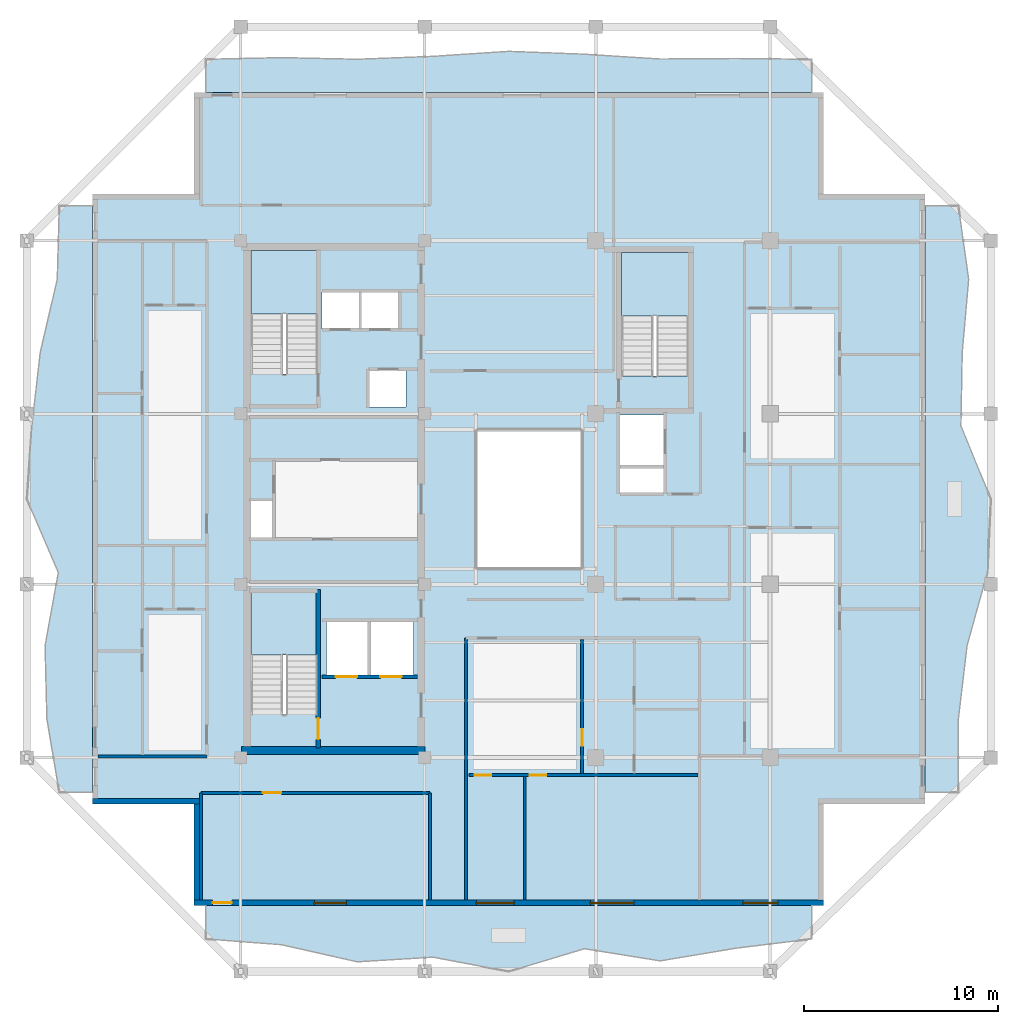
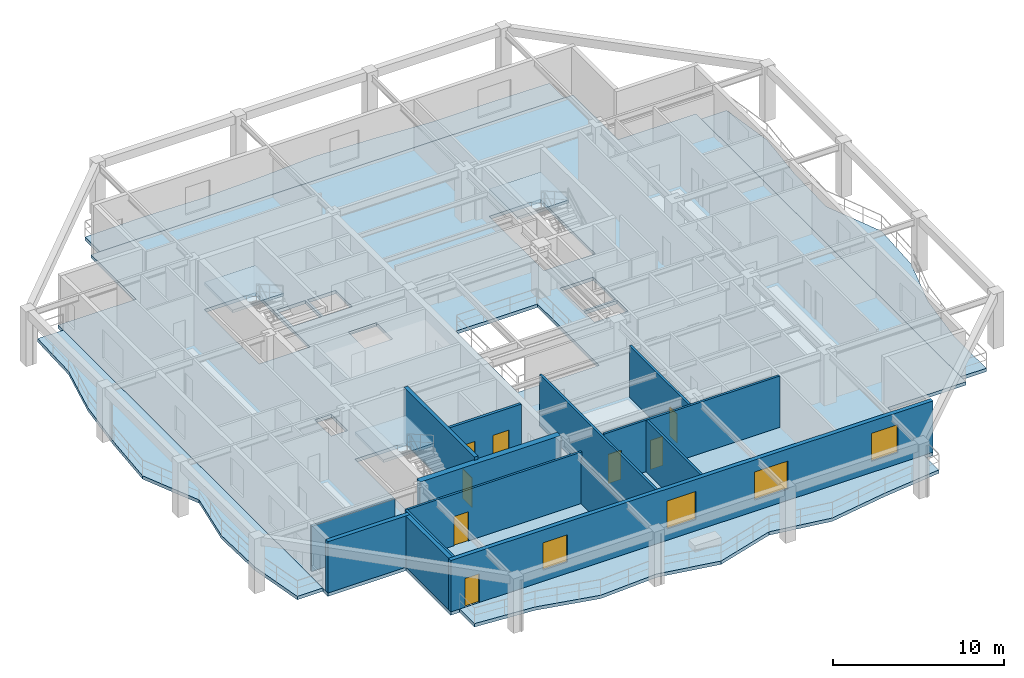
# One storey, part 2 of 12: 14 walls, 8 doors, 8 slabs, 4 windows, 12 openings, 3 elements without a shape of their own.
"""IFC4 building model written with IfcOpenShell, lengths in metres."""

from ifc_helpers import new_model, si_unit, direction, frame, frame_2d, origin, place, context, subcontext, project, spatial, polyline, rectangle, outline, extrude, material, layer, layer_set, type_object, element, fill, aggregate, save


model = new_model("IFC4")

# Units and contexts
model_context = context("Model", 3, precision=1e-05, world=origin(), true_north=direction((0.0, 1.0)))
body_context = subcontext(model_context, "Body", "Model", "MODEL_VIEW")
ifc_project = project(units=[si_unit("LENGTHUNIT", "METRE"), si_unit("AREAUNIT", "SQUARE_METRE"), si_unit("VOLUMEUNIT", "CUBIC_METRE"), si_unit("PLANEANGLEUNIT", "RADIAN"), si_unit("MASSUNIT", "GRAM", prefix="KILO")], contexts=[model_context])

# Site, building, storey
site_placement = place(None, origin())
site = spatial("IfcSite", under=ifc_project, at=site_placement, CompositionType="ELEMENT")
building_placement = place(site_placement, origin())
building = spatial("IfcBuilding", under=site, at=building_placement, Name="Kundavana Baori Tower", CompositionType="ELEMENT")
storey_placement = place(building_placement, frame((0.0, 0.0, 245.300048828125)))
storey = spatial("IfcBuildingStorey", under=building, at=storey_placement, Name="L60", CompositionType="ELEMENT", Elevation=245.300048828125)

# Slab
ifc_material_1 = material(Name="Concrete C40/50", Category="concrete")
ifc_layer_1 = layer(ifc_material_1, 0.239990234375, Name="SLB-FLR-240")
ifc_layer_set_1 = layer_set([ifc_layer_1], Name="Concrete C40/50")
slab_type_1 = type_object("IfcSlabType", Name="SLB-FLR-240", PredefinedType="FLOOR", material=ifc_layer_set_1)
slab_1_placement = place(storey_placement, frame((0.0, 0.0, -0.239990234375)))
element("IfcSlab", 1, at=slab_1_placement, inside=storey, type_object=slab_type_1, Name="L60 Structural Floor Slab", PredefinedType="FLOOR", context=body_context, shape_type="SweptSolid", body=[
    extrude(outline(polyline([(13.050048828125, 7.60009765625), (45.550048828125, 7.60009765625), (45.550048828125, 12.85009765625), (50.800048828125, 12.85009765625), (50.800048828125, 44.35009765625), (45.550048828125, 44.35009765625), (45.550048828125, 49.60009765625), (13.050048828125, 49.60009765625), (13.050048828125, 44.35009765625), (7.800048828125, 44.35009765625), (7.800048828125, 12.85009765625), (13.050048828125, 12.85009765625), (13.050048828125, 7.60009765625)]), holes=[polyline([(19.43994140625, 17.4619140625), (19.43994140625, 23.85009765625), (15.97998046875, 23.85009765625), (15.97998046875, 17.4619140625), (19.43994140625, 17.4619140625)]), polyline([(19.43994140625, 35.06201171875), (19.43994140625, 41.449951171875), (15.97998046875, 41.449951171875), (15.97998046875, 35.06201171875), (19.43994140625, 35.06201171875)]), polyline([(38.580078125, 34.9619140625), (38.580078125, 41.35009765625), (35.1201171875, 41.35009765625), (35.1201171875, 34.9619140625), (38.580078125, 34.9619140625)]), polyline([(19.64990234375, 37.39990234375), (21.550048828125, 37.39990234375), (21.550048828125, 39.300048828125), (19.64990234375, 39.300048828125), (19.64990234375, 37.39990234375)]), polyline([(21.699951171875, 37.39990234375), (23.60009765625, 37.39990234375), (23.60009765625, 39.300048828125), (21.699951171875, 39.300048828125), (21.699951171875, 37.39990234375)]), polyline([(22.10009765625, 33.35009765625), (24.0, 33.35009765625), (24.0, 35.25), (22.10009765625, 35.25), (22.10009765625, 33.35009765625)]), polyline([(19.8798828125, 19.5), (22.02001953125, 19.5), (22.02001953125, 22.25), (19.8798828125, 22.25), (19.8798828125, 19.5)]), polyline([(22.179931640625, 19.5), (24.3798828125, 19.5), (24.3798828125, 22.25), (22.179931640625, 22.25), (22.179931640625, 19.5)]), polyline([(35.050048828125, 30.35009765625), (37.300048828125, 30.35009765625), (37.300048828125, 32.949951171875), (35.050048828125, 32.949951171875), (35.050048828125, 30.35009765625)]), polyline([(15.949951171875, 26.60009765625), (17.080078125, 26.60009765625), (17.080078125, 28.5), (15.949951171875, 28.5), (15.949951171875, 26.60009765625)]), polyline([(35.050048828125, 28.949951171875), (37.300048828125, 28.949951171875), (37.300048828125, 30.199951171875), (35.050048828125, 30.199951171875), (35.050048828125, 28.949951171875)]), polyline([(27.60009765625, 25.0), (33.10009765625, 25.0), (33.10009765625, 32.199951171875), (27.60009765625, 32.199951171875), (27.60009765625, 25.0)])]), origin(), (0.0, 0.0, 1.0), 0.239990234375),
])

# Stair, slab
ifc_material_2 = material(Name="Concrete C40/50", Category="concrete")
stair_type = type_object("IfcStairType", Name="STR-DOG-1650", PredefinedType="HALF_TURN_STAIR", material=ifc_material_2)
stair_1_placement = place(storey_placement, origin())
stair_1 = element("IfcStair", 2, at=stair_1_placement, inside=storey, type_object=stair_type, Name="L60 Protected Exit Stair ST1", PredefinedType="HALF_TURN_STAIR")
ifc_material_3 = material(Name="Concrete C40/50", Category="concrete")
ifc_layer_2 = layer(ifc_material_3, 0.199951171875, Name="SLB-LND-200")
ifc_layer_set_2 = layer_set([ifc_layer_2], Name="Concrete C40/50")
slab_type_2 = type_object("IfcSlabType", Name="SLB-LND-200", PredefinedType="LANDING", material=ifc_layer_set_2)
slab_2_placement = place(storey_placement, frame((0.0, 0.0, 1.75)))
slab_2 = element("IfcSlab", 3, at=slab_2_placement, type_object=slab_type_2, Name="ST1 landing 1", PredefinedType="LANDING", context=body_context, shape_type="SweptSolid", body=[
    extrude(outline(polyline([(19.43994140625, 20.550048828125), (19.43994140625, 23.85009765625), (15.97998046875, 23.85009765625), (15.97998046875, 20.550048828125), (19.43994140625, 20.550048828125)])), origin(), (0.0, 0.0, 1.0), 0.199951171875),
])
aggregate(stair_1, [slab_2])

stair_2_placement = place(storey_placement, origin())
stair_2 = element("IfcStair", 4, at=stair_2_placement, inside=storey, type_object=stair_type, Name="L60 Protected Exit Stair ST2", PredefinedType="HALF_TURN_STAIR")
slab_3_placement = place(storey_placement, frame((0.0, 0.0, 1.75)))
slab_3 = element("IfcSlab", 5, at=slab_3_placement, type_object=slab_type_2, Name="ST2 landing 1", PredefinedType="LANDING", context=body_context, shape_type="SweptSolid", body=[
    extrude(outline(polyline([(19.43994140625, 38.14990234375), (19.43994140625, 41.449951171875), (15.97998046875, 41.449951171875), (15.97998046875, 38.14990234375), (19.43994140625, 38.14990234375)])), origin(), (0.0, 0.0, 1.0), 0.199951171875),
])
aggregate(stair_2, [slab_3])

stair_3_placement = place(storey_placement, origin())
stair_3 = element("IfcStair", 6, at=stair_3_placement, inside=storey, type_object=stair_type, Name="L60 Protected Exit Stair ST3", PredefinedType="HALF_TURN_STAIR")
slab_4_placement = place(storey_placement, frame((0.0, 0.0, 1.75)))
slab_4 = element("IfcSlab", 7, at=slab_4_placement, type_object=slab_type_2, Name="ST3 landing 1", PredefinedType="LANDING", context=body_context, shape_type="SweptSolid", body=[
    extrude(outline(polyline([(38.580078125, 38.050048828125), (38.580078125, 41.35009765625), (35.1201171875, 41.35009765625), (35.1201171875, 38.050048828125), (38.580078125, 38.050048828125)])), origin(), (0.0, 0.0, 1.0), 0.199951171875),
])
aggregate(stair_3, [slab_4])

# Slabs
ifc_material_4 = material(Name="Concrete C40/50", Category="concrete")
ifc_layer_3 = layer(ifc_material_4, 0.239990234375, Name="SLB-LOG-240")
ifc_layer_set_3 = layer_set([ifc_layer_3], Name="Concrete C40/50")
slab_type_3 = type_object("IfcSlabType", Name="SLB-LOG-240", PredefinedType="FLOOR", material=ifc_layer_set_3)
slab_5_placement = place(storey_placement, frame((0.0, 0.0, -0.239990234375)))
element("IfcSlab", 8, at=slab_5_placement, inside=storey, type_object=slab_type_3, Name="L60 Planted Loggia Balcony Slab S", PredefinedType="FLOOR", context=body_context, shape_type="SweptSolid", body=[
    extrude(outline(polyline([(13.64990234375, 7.60009765625), (44.949951171875, 7.60009765625), (44.949951171875, 5.8798828125), (41.0380859375, 5.404052734375), (37.125, 4.74609375), (33.212890625, 5.376953125), (29.300048828125, 4.199951171875), (25.387939453125, 4.93798828125), (21.47509765625, 4.697998046875), (17.56201171875, 5.58203125), (13.64990234375, 5.8798828125), (13.64990234375, 7.60009765625)])), origin(), (0.0, 0.0, 1.0), 0.239990234375),
])
slab_6_placement = place(storey_placement, frame((0.0, 0.0, -0.239990234375)))
element("IfcSlab", 9, at=slab_6_placement, inside=storey, type_object=slab_type_3, Name="L60 Planted Loggia Balcony Slab E", PredefinedType="FLOOR", context=body_context, shape_type="SweptSolid", body=[
    extrude(outline(polyline([(50.800048828125, 13.449951171875), (50.800048828125, 43.75), (52.52001953125, 43.75), (53.055908203125, 39.9619140625), (52.722900390625, 36.175048828125), (52.655029296875, 32.387939453125), (54.199951171875, 28.60009765625), (54.02294921875, 24.81201171875), (52.972900390625, 21.02490234375), (52.52197265625, 17.238037109375), (52.52001953125, 13.449951171875), (50.800048828125, 13.449951171875)])), origin(), (0.0, 0.0, 1.0), 0.239990234375),
])
slab_7_placement = place(storey_placement, frame((0.0, 0.0, -0.239990234375)))
element("IfcSlab", 10, at=slab_7_placement, inside=storey, type_object=slab_type_3, Name="L60 Planted Loggia Balcony Slab N", PredefinedType="FLOOR", context=body_context, shape_type="SweptSolid", body=[
    extrude(outline(polyline([(44.949951171875, 49.60009765625), (13.64990234375, 49.60009765625), (13.64990234375, 51.320068359375), (17.56201171875, 51.406005859375), (21.47509765625, 51.322021484375), (25.387939453125, 51.472900390625), (29.300048828125, 51.73095703125), (33.212890625, 51.58203125), (37.125, 51.333984375), (41.0380859375, 51.362060546875), (44.949951171875, 51.320068359375), (44.949951171875, 49.60009765625)])), origin(), (0.0, 0.0, 1.0), 0.239990234375),
])
slab_8_placement = place(storey_placement, frame((0.0, 0.0, -0.239990234375)))
element("IfcSlab", 11, at=slab_8_placement, inside=storey, type_object=slab_type_3, Name="L60 Planted Loggia Balcony Slab W", PredefinedType="FLOOR", context=body_context, shape_type="SweptSolid", body=[
    extrude(outline(polyline([(7.800048828125, 43.75), (7.800048828125, 13.449951171875), (6.080078125, 13.449951171875), (5.43896484375, 17.238037109375), (5.344970703125, 21.02490234375), (6.030029296875, 24.81201171875), (4.39990234375, 28.60009765625), (4.6630859375, 32.387939453125), (5.094970703125, 36.175048828125), (5.97412109375, 39.9619140625), (6.080078125, 43.75), (7.800048828125, 43.75)])), origin(), (0.0, 0.0, 1.0), 0.239990234375),
])

# Wall
ifc_material_5 = material(Name="Concrete C50/60", Category="concrete")
ifc_layer_4 = layer(ifc_material_5, 0.39990234375, Name="WL-CORE-400")
ifc_layer_set_4 = layer_set([ifc_layer_4], Name="Concrete C50/60")
wall_type_1 = type_object("IfcWallType", Name="WL-CORE-400", PredefinedType="SHEAR", material=ifc_layer_set_4)
wall_1_placement = place(storey_placement, frame((15.5, 15.610107421875, 0.0), z_axis=(0.0, 0.0, 1.0), x_axis=(1.0, 0.0, 0.0)))
element("IfcWall", 12, at=wall_1_placement, inside=storey, type_object=wall_type_1, Name="L60 Offset Core South Shear Wall", PredefinedType="SHEAR", context=body_context, shape_type="SweptSolid", body=[
    extrude(rectangle(XDim=9.47998046875, YDim=0.39990234375, at=frame_2d((4.739990234375, 0.0))), origin(), (0.0, 0.0, 1.0), 3.659912109375),
])

# Wall, opening, door
wall_2_placement = place(storey_placement, frame((19.4599609375, 15.739990234375, 0.0), z_axis=(0.0, 0.0, 1.0), x_axis=(0.0, 1.0, 0.0)))
wall_2 = element("IfcWall", 13, at=wall_2_placement, inside=storey, type_object=wall_type_1, Name="WL-L60-ST1-E", PredefinedType="SHEAR", context=body_context, shape_type="SweptSolid", body=[
    extrude(rectangle(XDim=8.199951171875, YDim=0.239990234375, at=frame_2d((4.10009765625, 0.0))), origin(), (0.0, 0.0, 1.0), 3.89990234375),
])
opening_1_placement = place(wall_2_placement, frame((0.449951171875, 0.0, 0.0)))
opening_1 = element("IfcOpeningElement", 14, at=opening_1_placement, cuts=wall_2, Name="Opening FD-110", PredefinedType="OPENING", context=body_context, shape_type="SweptSolid", body=[
    extrude(rectangle(XDim=1.10009765625, YDim=2.10009765625, at=frame_2d((0.550048828125, 1.050048828125))), frame((0.0, 0.1298828125, 0.0), z_axis=(0.0, -1.0, 0.0), x_axis=(1.0, 0.0, 0.0)), (0.0, 0.0, 1.0), 0.260009765625),
])
ifc_material_6 = material(Name="Galvanised Steel Fire-Rated Door Leaf", Category="steel")
door_type_1 = type_object("IfcDoorType", Name="DR-FD120-1100", OperationType="NOTDEFINED", PredefinedType="DOOR", material=ifc_material_6)
door_1_placement = place(opening_1_placement, origin())
door_1 = element("IfcDoor", 15, at=door_1_placement, inside=storey, type_object=door_type_1, Name="DR-L60-ST1", OperationType="SINGLE_SWING_LEFT", OverallHeight=2.10009765625, OverallWidth=1.10009765625, PredefinedType="DOOR", context=body_context, shape_type="SweptSolid", body=[
    extrude(rectangle(XDim=1.10009765625, YDim=2.10009765625, at=frame_2d((0.550048828125, 1.050048828125))), frame((0.0, 0.02490234375, 0.0), z_axis=(0.0, -1.0, 0.0), x_axis=(1.0, 0.0, 0.0)), (0.0, 0.0, 1.0), 0.050048828125),
])
fill(opening_1, door_1)

# Wall, openings, door, windows
ifc_material_7 = material(Name="Red-Buff Dholpur Sandstone Cladding on Concrete C40/50", Category="masonry")
ifc_layer_5 = layer(ifc_material_7, 0.280029296875, Name="WL-EXT-SAND-280")
ifc_layer_set_5 = layer_set([ifc_layer_5], Name="Red-Buff Dholpur Sandstone Cladding on Concrete C40/50")
wall_type_2 = type_object("IfcWallType", Name="WL-EXT-SAND-280", PredefinedType="STANDARD", material=ifc_layer_set_5)
wall_3_placement = place(storey_placement, frame((13.050048828125, 7.739990234375, 0.0), z_axis=(0.0, 0.0, 1.0), x_axis=(1.0, 0.0, 0.0)))
wall_3 = element("IfcWall", 16, at=wall_3_placement, inside=storey, type_object=wall_type_2, Name="L60 Exterior Insulated Facade Wall 01", PredefinedType="STANDARD", context=body_context, shape_type="SweptSolid", body=[
    extrude(rectangle(XDim=32.5, YDim=0.280029296875, at=frame_2d((16.25, 0.0))), origin(), (0.0, 0.0, 1.0), 3.659912109375),
])
opening_2_placement = place(wall_3_placement, frame((0.949951171875, 0.0, 0.0)))
opening_2 = element("IfcOpeningElement", 17, at=opening_2_placement, cuts=wall_3, Name="Opening BD-1", PredefinedType="OPENING", context=body_context, shape_type="SweptSolid", body=[
    extrude(rectangle(XDim=1.0, YDim=2.050048828125, at=frame_2d((0.5, 1.02490234375))), frame((0.0, 0.14990234375, 0.0), z_axis=(0.0, -1.0, 0.0), x_axis=(1.0, 0.0, 0.0)), (0.0, 0.0, 1.0), 0.300048828125),
])
opening_3_placement = place(wall_3_placement, frame((6.2099609375, 0.0, 0.800048828125)))
opening_3 = element("IfcOpeningElement", 18, at=opening_3_placement, cuts=wall_3, Name="Opening W-08", PredefinedType="OPENING", context=body_context, shape_type="SweptSolid", body=[
    extrude(rectangle(XDim=1.64990234375, YDim=1.949951171875, at=frame_2d((0.824951171875, 0.97509765625))), frame((0.0, 0.14990234375, 0.0), z_axis=(0.0, -1.0, 0.0), x_axis=(1.0, 0.0, 0.0)), (0.0, 0.0, 1.0), 0.300048828125),
])
opening_4_placement = place(wall_3_placement, frame((14.576904296875, 0.0, 0.800048828125)))
opening_4 = element("IfcOpeningElement", 19, at=opening_4_placement, cuts=wall_3, Name="Opening W-09", PredefinedType="OPENING", context=body_context, shape_type="SweptSolid", body=[
    extrude(rectangle(XDim=1.949951171875, YDim=2.0, at=frame_2d((0.97509765625, 1.0))), frame((0.0, 0.14990234375, 0.0), z_axis=(0.0, -1.0, 0.0), x_axis=(1.0, 0.0, 0.0)), (0.0, 0.0, 1.0), 0.300048828125),
])
opening_5_placement = place(wall_3_placement, frame((20.462890625, 0.0, 0.800048828125)))
opening_5 = element("IfcOpeningElement", 20, at=opening_5_placement, cuts=wall_3, Name="Opening W-10", PredefinedType="OPENING", context=body_context, shape_type="SweptSolid", body=[
    extrude(rectangle(XDim=2.25, YDim=2.0, at=frame_2d((1.125, 1.0))), frame((0.0, 0.14990234375, 0.0), z_axis=(0.0, -1.0, 0.0), x_axis=(1.0, 0.0, 0.0)), (0.0, 0.0, 1.0), 0.300048828125),
])
opening_6_placement = place(wall_3_placement, frame((28.344970703125, 0.0, 0.800048828125)))
opening_6 = element("IfcOpeningElement", 21, at=opening_6_placement, cuts=wall_3, Name="Opening W-01", PredefinedType="OPENING", context=body_context, shape_type="SweptSolid", body=[
    extrude(rectangle(XDim=1.800048828125, YDim=2.0, at=frame_2d((0.89990234375, 1.0))), frame((0.0, 0.14990234375, 0.0), z_axis=(0.0, -1.0, 0.0), x_axis=(1.0, 0.0, 0.0)), (0.0, 0.0, 1.0), 0.300048828125),
])
ifc_material_8 = material(Name="Architectural Patinated Bronze Metalwork")
door_type_2 = type_object("IfcDoorType", Name="DR-EXT-LOG-1000", OperationType="NOTDEFINED", PredefinedType="DOOR", material=ifc_material_8)
door_2_placement = place(opening_2_placement, frame((1.0, 0.0, 0.0), z_axis=(0.0, 0.0, 1.0), x_axis=(-1.0, 0.0, 0.0)))
door_2 = element("IfcDoor", 22, at=door_2_placement, inside=storey, type_object=door_type_2, Name="L60 Loggia Balcony Access Door S", OperationType="SINGLE_SWING_LEFT", OverallHeight=2.050048828125, OverallWidth=1.0, PredefinedType="DOOR", context=body_context, shape_type="SweptSolid", body=[
    extrude(rectangle(XDim=1.0, YDim=2.050048828125, at=frame_2d((0.5, 1.02490234375))), frame((0.0, 0.02490234375, 0.0), z_axis=(0.0, -1.0, 0.0), x_axis=(1.0, 0.0, 0.0)), (0.0, 0.0, 1.0), 0.050048828125),
])
fill(opening_2, door_2)
ifc_material_9 = material(Name="Double-Glazed Solar-Control Low-E Insulated Glass", Category="glass")
window_type_1 = type_object("IfcWindowType", Name="WIN-LOG-1650x1950", PartitioningType="SINGLE_PANEL", PredefinedType="WINDOW", material=ifc_material_9)
window_1_placement = place(opening_3_placement, origin())
window_1 = element("IfcWindow", 23, at=window_1_placement, inside=storey, type_object=window_type_1, Name="L60 Recessed Loggia Window S-1", OverallHeight=1.949951171875, OverallWidth=1.64990234375, PartitioningType="SINGLE_PANEL", PredefinedType="WINDOW", context=body_context, shape_type="SweptSolid", body=[
    extrude(rectangle(XDim=1.64990234375, YDim=1.949951171875, at=frame_2d((0.824951171875, 0.97509765625))), frame((0.0, 0.030029296875, 0.0), z_axis=(0.0, -1.0, 0.0), x_axis=(1.0, 0.0, 0.0)), (0.0, 0.0, 1.0), 0.06005859375),
])
fill(opening_3, window_1)
ifc_material_10 = material(Name="Double-Glazed Solar-Control Low-E Insulated Glass", Category="glass")
window_type_2 = type_object("IfcWindowType", Name="WIN-LOG-1800x2000", PartitioningType="SINGLE_PANEL", PredefinedType="WINDOW", material=ifc_material_10)
window_2_placement = place(opening_6_placement, origin())
window_2 = element("IfcWindow", 24, at=window_2_placement, inside=storey, type_object=window_type_2, Name="L60 Recessed Loggia Window S-4", OverallHeight=2.0, OverallWidth=1.800048828125, PartitioningType="SINGLE_PANEL", PredefinedType="WINDOW", context=body_context, shape_type="SweptSolid", body=[
    extrude(rectangle(XDim=1.800048828125, YDim=2.0, at=frame_2d((0.89990234375, 1.0))), frame((0.0, 0.030029296875, 0.0), z_axis=(0.0, -1.0, 0.0), x_axis=(1.0, 0.0, 0.0)), (0.0, 0.0, 1.0), 0.06005859375),
])
fill(opening_6, window_2)
ifc_material_11 = material(Name="Double-Glazed Solar-Control Low-E Insulated Glass", Category="glass")
window_type_3 = type_object("IfcWindowType", Name="WIN-LOG-1950x2000", PartitioningType="SINGLE_PANEL", PredefinedType="WINDOW", material=ifc_material_11)
window_3_placement = place(opening_4_placement, origin())
window_3 = element("IfcWindow", 25, at=window_3_placement, inside=storey, type_object=window_type_3, Name="L60 Recessed Loggia Window S-2", OverallHeight=2.0, OverallWidth=1.949951171875, PartitioningType="SINGLE_PANEL", PredefinedType="WINDOW", context=body_context, shape_type="SweptSolid", body=[
    extrude(rectangle(XDim=1.949951171875, YDim=2.0, at=frame_2d((0.97509765625, 1.0))), frame((0.0, 0.030029296875, 0.0), z_axis=(0.0, -1.0, 0.0), x_axis=(1.0, 0.0, 0.0)), (0.0, 0.0, 1.0), 0.06005859375),
])
fill(opening_4, window_3)
ifc_material_12 = material(Name="Double-Glazed Solar-Control Low-E Insulated Glass", Category="glass")
window_type_4 = type_object("IfcWindowType", Name="WIN-LOG-2250x2000", PartitioningType="SINGLE_PANEL", PredefinedType="WINDOW", material=ifc_material_12)
window_4_placement = place(opening_5_placement, origin())
window_4 = element("IfcWindow", 26, at=window_4_placement, inside=storey, type_object=window_type_4, Name="L60 Recessed Loggia Window S-3", OverallHeight=2.0, OverallWidth=2.25, PartitioningType="SINGLE_PANEL", PredefinedType="WINDOW", context=body_context, shape_type="SweptSolid", body=[
    extrude(rectangle(XDim=2.25, YDim=2.0, at=frame_2d((1.125, 1.0))), frame((0.0, 0.030029296875, 0.0), z_axis=(0.0, -1.0, 0.0), x_axis=(1.0, 0.0, 0.0)), (0.0, 0.0, 1.0), 0.06005859375),
])
fill(opening_5, window_4)

# Walls
wall_4_placement = place(storey_placement, frame((7.800048828125, 12.989990234375, 0.0), z_axis=(0.0, 0.0, 1.0), x_axis=(1.0, 0.0, 0.0)))
element("IfcWall", 27, at=wall_4_placement, inside=storey, type_object=wall_type_2, Name="L60 Exterior Insulated Facade Wall 11", PredefinedType="STANDARD", context=body_context, shape_type="SweptSolid", body=[
    extrude(rectangle(XDim=5.530029296875, YDim=0.280029296875, at=frame_2d((2.76513671875, 0.0))), origin(), (0.0, 0.0, 1.0), 3.659912109375),
])
wall_5_placement = place(storey_placement, frame((13.18994140625, 12.85009765625, 0.0), z_axis=(0.0, 0.0, 1.0), x_axis=(0.0, -1.0, 0.0)))
element("IfcWall", 28, at=wall_5_placement, inside=storey, type_object=wall_type_2, Name="L60 Exterior Insulated Facade Wall 12", PredefinedType="STANDARD", context=body_context, shape_type="SweptSolid", body=[
    extrude(rectangle(XDim=4.97021484375, YDim=0.280029296875, at=frame_2d((2.485107421875, 0.0))), origin(), (0.0, 0.0, 1.0), 3.659912109375),
])
ifc_material_13 = material(Name="Fire-Rated Gypsum Drywall on Galvanised Steel Studs", Category="steel")
ifc_layer_6 = layer(ifc_material_13, 0.14990234375, Name="WL-PART-150")
ifc_layer_set_6 = layer_set([ifc_layer_6], Name="Fire-Rated Gypsum Drywall on Galvanised Steel Studs")
wall_type_3 = type_object("IfcWallType", Name="WL-PART-150", PredefinedType="PARTITIONING", material=ifc_layer_set_6)
wall_6_placement = place(storey_placement, frame((27.080078125, 7.8798828125, 0.0), z_axis=(0.0, 0.0, 1.0), x_axis=(0.0, 1.0, 0.0)))
element("IfcWall", 29, at=wall_6_placement, inside=storey, type_object=wall_type_3, Name="WL-L60-RSW", PredefinedType="PARTITIONING", context=body_context, shape_type="SweptSolid", body=[
    extrude(rectangle(XDim=13.5400390625, YDim=0.14990234375, at=frame_2d((6.77001953125, 0.0))), origin(), (0.0, 0.0, 1.0), 3.659912109375),
])

# Wall, opening, door
wall_7_placement = place(storey_placement, frame((13.39990234375, 13.419921875, 0.0), z_axis=(0.0, 0.0, 1.0), x_axis=(1.0, 0.0, 0.0)))
wall_7 = element("IfcWall", 30, at=wall_7_placement, inside=storey, type_object=wall_type_3, Name="WL-L60-RSC", PredefinedType="PARTITIONING", context=body_context, shape_type="SweptSolid", body=[
    extrude(rectangle(XDim=11.820068359375, YDim=0.14990234375, at=frame_2d((5.91015625, 0.0))), origin(), (0.0, 0.0, 1.0), 3.659912109375),
])
opening_7_placement = place(wall_7_placement, frame((3.199951171875, 0.0, 0.0)))
opening_7 = element("IfcOpeningElement", 31, at=opening_7_placement, cuts=wall_7, Name="Opening ID-095", PredefinedType="OPENING", context=body_context, shape_type="SweptSolid", body=[
    extrude(rectangle(XDim=0.949951171875, YDim=2.080078125, at=frame_2d((0.47509765625, 1.0400390625))), frame((0.0, 0.0849609375, 0.0), z_axis=(0.0, -1.0, 0.0), x_axis=(1.0, 0.0, 0.0)), (0.0, 0.0, 1.0), 0.169921875),
])
ifc_material_14 = material(Name="Engineered Teak Solid-Core Timber Veneer", Category="wood")
door_type_3 = type_object("IfcDoorType", Name="DR-INT-950", OperationType="NOTDEFINED", PredefinedType="DOOR", material=ifc_material_14)
door_3_placement = place(opening_7_placement, frame((0.949951171875, 0.0, 0.0), z_axis=(0.0, 0.0, 1.0), x_axis=(-1.0, 0.0, 0.0)))
door_3 = element("IfcDoor", 32, at=door_3_placement, inside=storey, type_object=door_type_3, Name="DR-L60-RMSW", OperationType="SINGLE_SWING_LEFT", OverallHeight=2.080078125, OverallWidth=0.949951171875, PredefinedType="DOOR", context=body_context, shape_type="SweptSolid", body=[
    extrude(rectangle(XDim=0.949951171875, YDim=2.080078125, at=frame_2d((0.47509765625, 1.0400390625))), frame((0.0, 0.02490234375, 0.0), z_axis=(0.0, -1.0, 0.0), x_axis=(1.0, 0.0, 0.0)), (0.0, 0.0, 1.0), 0.050048828125),
])
fill(opening_7, door_3)

# Walls
wall_8_placement = place(storey_placement, frame((13.39990234375, 7.8798828125, 0.0), z_axis=(0.0, 0.0, 1.0), x_axis=(0.0, 1.0, 0.0)))
element("IfcWall", 33, at=wall_8_placement, inside=storey, type_object=wall_type_3, Name="WL-L60-RSCW", PredefinedType="PARTITIONING", context=body_context, shape_type="SweptSolid", body=[
    extrude(rectangle(XDim=5.5400390625, YDim=0.14990234375, at=frame_2d((2.77001953125, 0.0))), origin(), (0.0, 0.0, 1.0), 3.659912109375),
])
wall_9_placement = place(storey_placement, frame((25.219970703125, 7.8798828125, 0.0), z_axis=(0.0, 0.0, 1.0), x_axis=(0.0, 1.0, 0.0)))
element("IfcWall", 34, at=wall_9_placement, inside=storey, type_object=wall_type_3, Name="WL-L60-RSCE", PredefinedType="PARTITIONING", context=body_context, shape_type="SweptSolid", body=[
    extrude(rectangle(XDim=5.5400390625, YDim=0.14990234375, at=frame_2d((2.77001953125, 0.0))), origin(), (0.0, 0.0, 1.0), 3.2099609375),
])
wall_10_placement = place(storey_placement, frame((8.080078125, 15.300048828125, 0.0), z_axis=(0.0, 0.0, 1.0), x_axis=(1.0, 0.0, 0.0)))
element("IfcWall", 35, at=wall_10_placement, inside=storey, type_object=wall_type_3, Name="WL-L60-RWS", PredefinedType="PARTITIONING", context=body_context, shape_type="SweptSolid", body=[
    extrude(rectangle(XDim=5.619873046875, YDim=0.14990234375, at=frame_2d((2.81005859375, 0.0))), origin(), (0.0, 0.0, 1.0), 3.2099609375),
])

# Wall, openings, doors
wall_11_placement = place(storey_placement, frame((27.239990234375, 14.341064453125, 0.0), z_axis=(0.0, 0.0, 1.0), x_axis=(1.0, 0.0, 0.0)))
wall_11 = element("IfcWall", 36, at=wall_11_placement, inside=storey, type_object=wall_type_3, Name="WL-L60-S1-HZ", PredefinedType="PARTITIONING", context=body_context, shape_type="SweptSolid", body=[
    extrude(rectangle(XDim=11.830078125, YDim=0.14990234375, at=frame_2d((5.9150390625, 0.0))), origin(), (0.0, 0.0, 1.0), 3.659912109375),
])
opening_8_placement = place(wall_11_placement, frame((0.300048828125, 0.0, 0.0)))
opening_8 = element("IfcOpeningElement", 37, at=opening_8_placement, cuts=wall_11, Name="Opening ID-085", PredefinedType="OPENING", context=body_context, shape_type="SweptSolid", body=[
    extrude(rectangle(XDim=0.85009765625, YDim=2.080078125, at=frame_2d((0.425048828125, 1.0400390625))), frame((0.0, 0.0849609375, 0.0), z_axis=(0.0, -1.0, 0.0), x_axis=(1.0, 0.0, 0.0)), (0.0, 0.0, 1.0), 0.169921875),
])
opening_9_placement = place(wall_11_placement, frame((3.135009765625, 0.0, 0.0)))
opening_9 = element("IfcOpeningElement", 38, at=opening_9_placement, cuts=wall_11, Name="Opening ID-085", PredefinedType="OPENING", context=body_context, shape_type="SweptSolid", body=[
    extrude(rectangle(XDim=0.85009765625, YDim=2.080078125, at=frame_2d((0.425048828125, 1.0400390625))), frame((0.0, 0.0849609375, 0.0), z_axis=(0.0, -1.0, 0.0), x_axis=(1.0, 0.0, 0.0)), (0.0, 0.0, 1.0), 0.169921875),
])
ifc_material_15 = material(Name="Engineered Teak Solid-Core Timber Veneer", Category="wood")
door_type_4 = type_object("IfcDoorType", Name="DR-INT-850", OperationType="NOTDEFINED", PredefinedType="DOOR", material=ifc_material_15)
door_4_placement = place(opening_8_placement, frame((0.85009765625, 0.0, 0.0), z_axis=(0.0, 0.0, 1.0), x_axis=(-1.0, 0.0, 0.0)))
door_4 = element("IfcDoor", 39, at=door_4_placement, inside=storey, type_object=door_type_4, Name="DR-L60-S1-B1", OperationType="SINGLE_SWING_LEFT", OverallHeight=2.080078125, OverallWidth=0.85009765625, PredefinedType="DOOR", context=body_context, shape_type="SweptSolid", body=[
    extrude(rectangle(XDim=0.85009765625, YDim=2.080078125, at=frame_2d((0.425048828125, 1.0400390625))), frame((0.0, 0.02490234375, 0.0), z_axis=(0.0, -1.0, 0.0), x_axis=(1.0, 0.0, 0.0)), (0.0, 0.0, 1.0), 0.050048828125),
])
fill(opening_8, door_4)
door_5_placement = place(opening_9_placement, frame((0.85009765625, 0.0, 0.0), z_axis=(0.0, 0.0, 1.0), x_axis=(-1.0, 0.0, 0.0)))
door_5 = element("IfcDoor", 40, at=door_5_placement, inside=storey, type_object=door_type_4, Name="DR-L60-S1-B2", OperationType="SINGLE_SWING_RIGHT", OverallHeight=2.080078125, OverallWidth=0.85009765625, PredefinedType="DOOR", context=body_context, shape_type="SweptSolid", body=[
    extrude(rectangle(XDim=0.85009765625, YDim=2.080078125, at=frame_2d((0.425048828125, 1.0400390625))), frame((0.0, 0.02490234375, 0.0), z_axis=(0.0, -1.0, 0.0), x_axis=(1.0, 0.0, 0.0)), (0.0, 0.0, 1.0), 0.050048828125),
])
fill(opening_9, door_5)

# Wall, opening, door
wall_12_placement = place(storey_placement, frame((33.090087890625, 14.4208984375, 0.0), z_axis=(0.0, 0.0, 1.0), x_axis=(0.0, 1.0, 0.0)))
wall_12 = element("IfcWall", 41, at=wall_12_placement, inside=storey, type_object=wall_type_3, Name="WL-L60-S1-STU", PredefinedType="PARTITIONING", context=body_context, shape_type="SweptSolid", body=[
    extrude(rectangle(XDim=6.919189453125, YDim=0.14990234375, at=frame_2d((3.45947265625, 0.0))), origin(), (0.0, 0.0, 1.0), 3.659912109375),
])
opening_10_placement = place(wall_12_placement, frame((1.449951171875, 0.0, 0.0)))
opening_10 = element("IfcOpeningElement", 42, at=opening_10_placement, cuts=wall_12, Name="Opening ID-085", PredefinedType="OPENING", context=body_context, shape_type="SweptSolid", body=[
    extrude(rectangle(XDim=0.85009765625, YDim=2.080078125, at=frame_2d((0.425048828125, 1.0400390625))), frame((0.0, 0.0849609375, 0.0), z_axis=(0.0, -1.0, 0.0), x_axis=(1.0, 0.0, 0.0)), (0.0, 0.0, 1.0), 0.169921875),
])
door_6_placement = place(opening_10_placement, origin())
door_6 = element("IfcDoor", 43, at=door_6_placement, inside=storey, type_object=door_type_4, Name="DR-L60-S1-STD", OperationType="SINGLE_SWING_LEFT", OverallHeight=2.080078125, OverallWidth=0.85009765625, PredefinedType="DOOR", context=body_context, shape_type="SweptSolid", body=[
    extrude(rectangle(XDim=0.85009765625, YDim=2.080078125, at=frame_2d((0.425048828125, 1.0400390625))), frame((0.0, 0.02490234375, 0.0), z_axis=(0.0, -1.0, 0.0), x_axis=(1.0, 0.0, 0.0)), (0.0, 0.0, 1.0), 0.050048828125),
])
fill(opening_10, door_6)

# Wall
wall_13_placement = place(storey_placement, frame((30.125, 7.8798828125, 0.0), z_axis=(0.0, 0.0, 1.0), x_axis=(0.0, 1.0, 0.0)))
element("IfcWall", 44, at=wall_13_placement, inside=storey, type_object=wall_type_3, Name="WL-L60-S1-BDV", PredefinedType="PARTITIONING", context=body_context, shape_type="SweptSolid", body=[
    extrude(rectangle(XDim=6.381103515625, YDim=0.14990234375, at=frame_2d((3.1904296875, 0.0))), origin(), (0.0, 0.0, 1.0), 3.659912109375),
])

# Wall, openings, doors
ifc_material_16 = material(Name="Autoclaved Aerated Concrete Blockwork Masonry", Category="masonry")
ifc_layer_7 = layer(ifc_material_16, 0.179931640625, Name="WL-SHAFT-180")
ifc_layer_set_7 = layer_set([ifc_layer_7], Name="Autoclaved Aerated Concrete Blockwork Masonry")
wall_type_4 = type_object("IfcWallType", Name="WL-SHAFT-180", PredefinedType="SOLIDWALL", material=ifc_layer_set_7)
wall_14_placement = place(storey_placement, frame((19.639892578125, 19.419921875, 0.0), z_axis=(0.0, 0.0, 1.0), x_axis=(1.0, 0.0, 0.0)))
wall_14 = element("IfcWall", 45, at=wall_14_placement, inside=storey, type_object=wall_type_4, Name="WL-L60-FFL-S", PredefinedType="SOLIDWALL", context=body_context, shape_type="SweptSolid", body=[
    extrude(rectangle(XDim=4.940185546875, YDim=0.179931640625, at=frame_2d((2.47021484375, 0.0))), origin(), (0.0, 0.0, 1.0), 3.659912109375),
])
opening_11_placement = place(wall_14_placement, frame((0.719970703125, 0.0, 0.0)))
opening_11 = element("IfcOpeningElement", 46, at=opening_11_placement, cuts=wall_14, Name="Opening LD-110", PredefinedType="OPENING", context=body_context, shape_type="SweptSolid", body=[
    extrude(rectangle(XDim=1.10009765625, YDim=2.10009765625, at=frame_2d((0.550048828125, 1.050048828125))), frame((0.0, 0.10009765625, 0.0), z_axis=(0.0, -1.0, 0.0), x_axis=(1.0, 0.0, 0.0)), (0.0, 0.0, 1.0), 0.199951171875),
])
opening_12_placement = place(wall_14_placement, frame((3.02001953125, 0.0, 0.0)))
opening_12 = element("IfcOpeningElement", 47, at=opening_12_placement, cuts=wall_14, Name="Opening LD-110", PredefinedType="OPENING", context=body_context, shape_type="SweptSolid", body=[
    extrude(rectangle(XDim=1.10009765625, YDim=2.10009765625, at=frame_2d((0.550048828125, 1.050048828125))), frame((0.0, 0.10009765625, 0.0), z_axis=(0.0, -1.0, 0.0), x_axis=(1.0, 0.0, 0.0)), (0.0, 0.0, 1.0), 0.199951171875),
])
ifc_material_17 = material(Name="Galvanised Steel Fire-Rated Door Leaf", Category="steel")
door_type_5 = type_object("IfcDoorType", Name="DR-SLIDE-LD1100", OperationType="NOTDEFINED", PredefinedType="DOOR", material=ifc_material_17)
door_7_placement = place(opening_11_placement, origin())
door_7 = element("IfcDoor", 48, at=door_7_placement, inside=storey, type_object=door_type_5, Name="DR-L60-LD-FFL-1", OperationType="DOUBLE_DOOR_SLIDING", OverallHeight=2.10009765625, OverallWidth=1.10009765625, PredefinedType="DOOR", context=body_context, shape_type="SweptSolid", body=[
    extrude(rectangle(XDim=1.10009765625, YDim=2.10009765625, at=frame_2d((0.550048828125, 1.050048828125))), frame((0.0, 0.02490234375, 0.0), z_axis=(0.0, -1.0, 0.0), x_axis=(1.0, 0.0, 0.0)), (0.0, 0.0, 1.0), 0.050048828125),
])
fill(opening_11, door_7)
door_8_placement = place(opening_12_placement, origin())
door_8 = element("IfcDoor", 49, at=door_8_placement, inside=storey, type_object=door_type_5, Name="DR-L60-LD-FFL-2", OperationType="DOUBLE_DOOR_SLIDING", OverallHeight=2.10009765625, OverallWidth=1.10009765625, PredefinedType="DOOR", context=body_context, shape_type="SweptSolid", body=[
    extrude(rectangle(XDim=1.10009765625, YDim=2.10009765625, at=frame_2d((0.550048828125, 1.050048828125))), frame((0.0, 0.02490234375, 0.0), z_axis=(0.0, -1.0, 0.0), x_axis=(1.0, 0.0, 0.0)), (0.0, 0.0, 1.0), 0.050048828125),
])
fill(opening_12, door_8)

save(model, "model.ifc")
